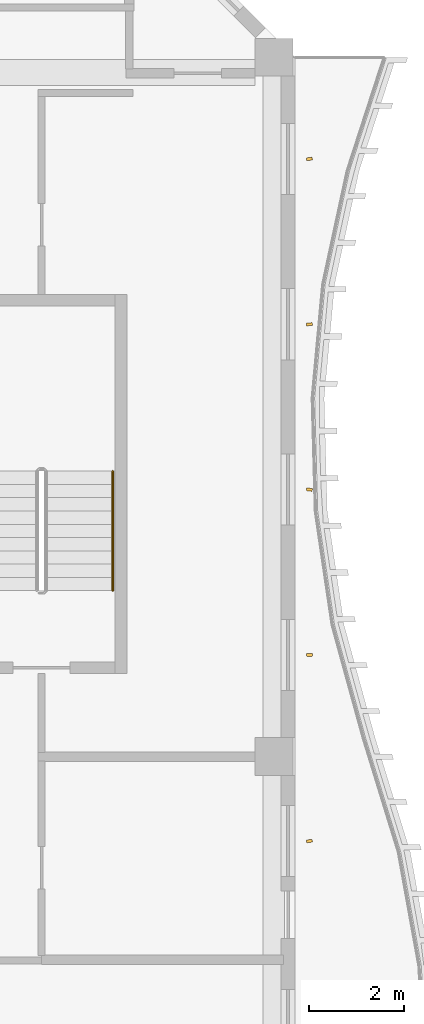
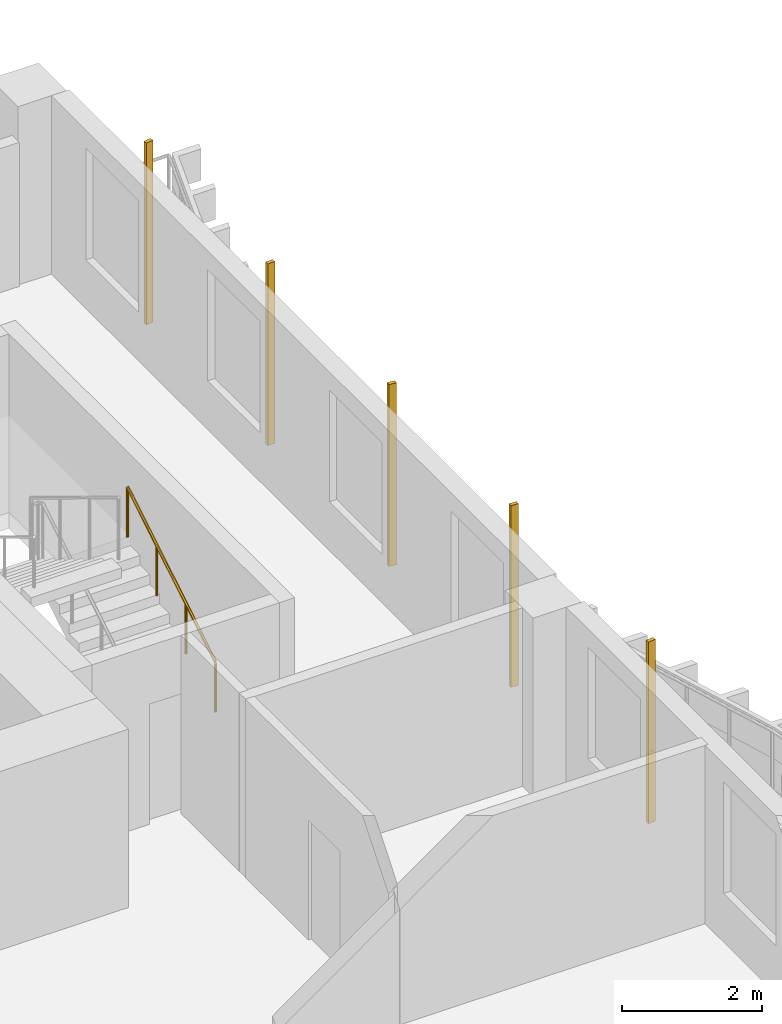
# One storey, part 23 of 23: 5 shading devices, 1 railing.
"""IFC4 building model written with IfcOpenShell, lengths in metres."""

from ifc_helpers import new_model, si_unit, direction, frame, origin, origin_2d, place, context, subcontext, project, spatial, rectangle, circle, extrude, source, transform, mapped, material, material_profile, profile_set, type_object, element, save


model = new_model("IFC4")

# Units and contexts
model_context = context("Model", 3, precision=1e-05, world=origin(), true_north=direction((0.0, 1.0)))
body_context = subcontext(model_context, "Body", "Model", "MODEL_VIEW")
ifc_project = project(units=[si_unit("LENGTHUNIT", "METRE"), si_unit("AREAUNIT", "SQUARE_METRE"), si_unit("VOLUMEUNIT", "CUBIC_METRE"), si_unit("PLANEANGLEUNIT", "RADIAN"), si_unit("MASSUNIT", "GRAM", prefix="KILO")], contexts=[model_context])

# Site, building, storey
site_placement = place(None, origin())
site = spatial("IfcSite", under=ifc_project, at=site_placement, CompositionType="ELEMENT")
building_placement = place(site_placement, origin())
building = spatial("IfcBuilding", under=site, at=building_placement, Name="Kilnfold Tower and Market Hall", CompositionType="ELEMENT")
storey_placement = place(building_placement, frame((0.0, 0.0, 178.699951171875)))
storey = spatial("IfcBuildingStorey", under=building, at=storey_placement, Name="L42", CompositionType="ELEMENT", Elevation=178.699951171875)

# Railing
ifc_material_1 = material(Name="Stainless steel 316", Category="steel")
railing_type = type_object("IfcRailingType", Name="CORE STAIR HANDRAIL 900", PredefinedType="HANDRAIL", material=ifc_material_1)
railing_placement = place(storey_placement, frame((21.39990234375, 11.5, 0.170166015625)))
element("IfcRailing", 1, at=railing_placement, inside=storey, type_object=railing_type, Name="L42 ST5 stair handrail 1", PredefinedType="HANDRAIL", context=body_context, shape_type="SweptSolid", body=[
    extrude(circle(Radius=0.02392578125, at=origin_2d()), frame((0.0, 0.0, 0.8759765625), z_axis=(0.0, 0.854821627497, 0.518921945155), x_axis=(-1.0, 0.0, 0.0)), (0.0, 0.0, 1.0), 2.947998046875),
    extrude(circle(Radius=0.02099609375, at=origin_2d()), origin(), (0.0, 0.0, 1.0), 0.851806640625),
    extrude(circle(Radius=0.02099609375, at=origin_2d()), frame((0.0, 0.840087890625, 0.510009765625)), (0.0, 0.0, 1.0), 0.851806640625),
    extrude(circle(Radius=0.02099609375, at=origin_2d()), frame((0.0, 1.679931640625, 1.019775390625)), (0.0, 0.0, 1.0), 0.851806640625),
    extrude(circle(Radius=0.02099609375, at=origin_2d()), frame((0.0, 2.52001953125, 1.52978515625)), (0.0, 0.0, 1.0), 0.851806640625),
])

# Shading devices
ifc_material_2 = material(Name="Terracotta", Category="masonry")
ifc_material_profile = material_profile(ifc_material_2, rectangle(XDim=0.06005859375, YDim=0.1201171875, at=origin_2d()), Name="BAG 60x120")
ifc_profile_set = profile_set([ifc_material_profile], Name="Terracotta")
shading_device_type = type_object("IfcShadingDeviceType", Name="BAGUETTE", PredefinedType="USERDEFINED", material=ifc_profile_set)
shared_shape = source(origin(), body_context, "Body", "SweptSolid", [
    extrude(rectangle(XDim=0.06005859375, YDim=0.1201171875, at=origin_2d()), origin(), (0.0, 0.0, 1.0), 3.179931640625),
])
for number, where, z_axis, x_axis, name in (
    (2, (25.550048828125, 6.21875, 0.0), (0.0, 0.0, 1.0), (-0.135888488485, 0.990724138546, 0.0), "Terracotta baguette L42 E"),
    (3, (25.550048828125, 10.143798828125, 0.0), (0.0, 0.0, 1.0), (0.055509575465, 0.998458154873, 0.0), "Terracotta baguette L42 E"),
    (4, (25.550048828125, 13.63134765625, 0.0), (0.0, 0.0, 1.0), (0.128061705279, 0.991766202107, 0.0), "Terracotta baguette L42 E"),
    (5, (25.550048828125, 17.11865234375, 0.0), (0.0, 0.0, 1.0), (-0.054071841882, 0.998537047843, 0.0), "Terracotta baguette L42 E"),
    (6, (25.550048828125, 20.606201171875, 0.0), (0.0, 0.0, 1.0), (-0.128664055201, 0.991688237754, 0.0), "Terracotta baguette L42 E"),
):
    element("IfcShadingDevice", number, at=place(storey_placement, frame(where, z_axis=z_axis, x_axis=x_axis)), inside=storey, type_object=shading_device_type, Name=name, ObjectType="BAGUETTE", PredefinedType="USERDEFINED", context=body_context, shape_type="MappedRepresentation", body=[
        mapped(shared_shape, transform((0.0, 0.0, 0.0))),
    ])

save(model, "model.ifc")
